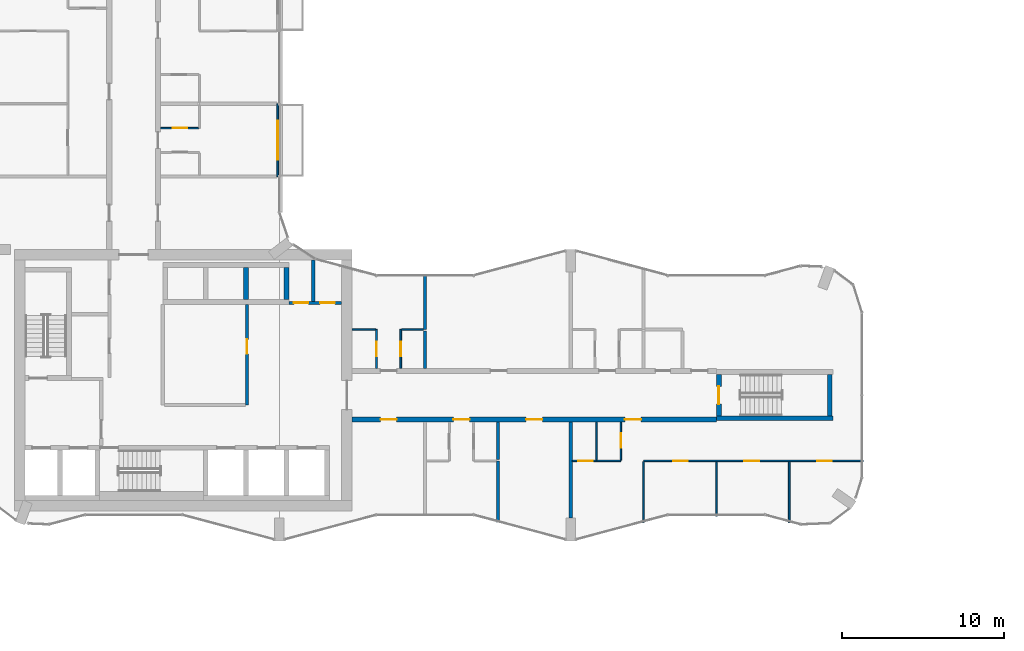
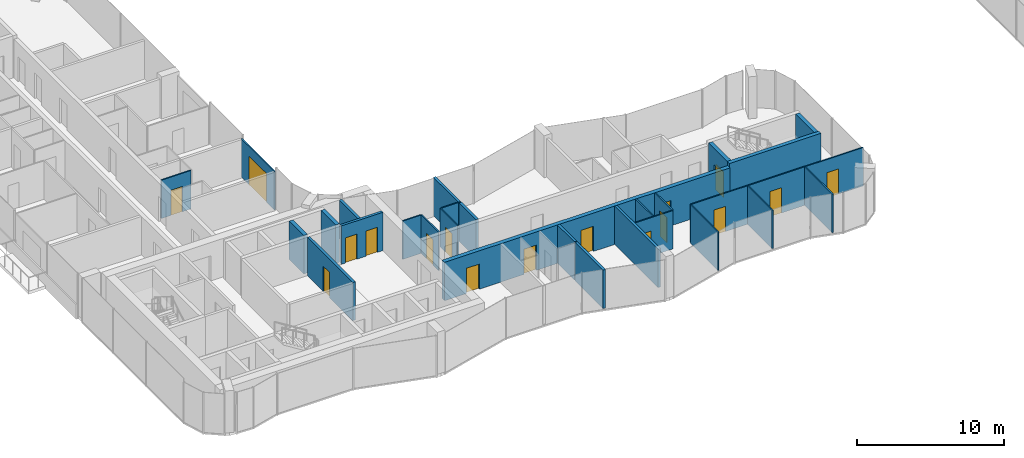
# One storey, part 12 of 19: 27 walls, 17 doors, 17 openings.
"""IFC4 building model written with IfcOpenShell, lengths in metres."""

from ifc_helpers import new_model, si_unit, direction, frame, frame_2d, origin, place, context, subcontext, project, spatial, rectangle, extrude, material, layer, layer_set, type_object, element, fill, save


model = new_model("IFC4")

# Units and contexts
model_context = context("Model", 3, precision=1e-05, world=origin(), true_north=direction((0.0, 1.0)))
body_context = subcontext(model_context, "Body", "Model", "MODEL_VIEW")
ifc_project = project(units=[si_unit("LENGTHUNIT", "METRE"), si_unit("AREAUNIT", "SQUARE_METRE"), si_unit("VOLUMEUNIT", "CUBIC_METRE"), si_unit("PLANEANGLEUNIT", "RADIAN"), si_unit("MASSUNIT", "GRAM", prefix="KILO")], contexts=[model_context])

# Site, building, storey
site_placement = place(None, origin())
site = spatial("IfcSite", under=ifc_project, at=site_placement, CompositionType="ELEMENT")
building_placement = place(site_placement, origin())
building = spatial("IfcBuilding", under=site, at=building_placement, Name="Plateau Cross Towers", CompositionType="ELEMENT")
storey_placement = place(building_placement, frame((0.0, 0.0, 120.300048828125)))
storey = spatial("IfcBuildingStorey", under=building, at=storey_placement, Name="L31", CompositionType="ELEMENT", Elevation=120.300048828125)

# Wall, opening, door
ifc_material_1 = material(Name="Aluminium framed glazing", Category="aluminium")
ifc_layer_1 = layer(ifc_material_1, 0.10009765625)
ifc_layer_set_1 = layer_set([ifc_layer_1], Name="Aluminium framed glazing")
wall_type_1 = type_object("IfcWallType", Name="Balcony screen wall 100", PredefinedType="STANDARD", material=ifc_layer_set_1)
wall_1_placement = place(storey_placement, frame((17.89990234375, 27.0, 0.0), z_axis=(0.0, 0.0, 1.0), x_axis=(0.0, -1.0, 0.0)))
wall_1 = element("IfcWall", 1, at=wall_1_placement, inside=storey, type_object=wall_type_1, Name="Balcony screen wall A-BAL-L31-04", PredefinedType="STANDARD", context=body_context, shape_type="SweptSolid", body=[
    extrude(rectangle(XDim=4.5, YDim=0.10009765625, at=frame_2d((2.25, 0.0))), origin(), (0.0, 0.0, 1.0), 3.199951171875),
])
opening_1_placement = place(wall_1_placement, frame((1.050048828125, 0.0, 0.0)))
opening_1 = element("IfcOpeningElement", 2, at=opening_1_placement, cuts=wall_1, Name="Opening D-B24", PredefinedType="OPENING", context=body_context, shape_type="SweptSolid", body=[
    extrude(rectangle(XDim=2.39990234375, YDim=2.39990234375, at=frame_2d((1.199951171875, 1.199951171875))), frame((0.0, 0.06005859375, 0.0), z_axis=(0.0, -1.0, 0.0), x_axis=(1.0, 0.0, 0.0)), (0.0, 0.0, 1.0), 0.1201171875),
])
ifc_material_2 = material(Name="Aluminium frame, double glazing", Category="aluminium")
door_type_1 = type_object("IfcDoorType", Name="Balcony sliding door 2400", OperationType="NOTDEFINED", PredefinedType="DOOR", material=ifc_material_2)
door_1_placement = place(opening_1_placement, origin())
door_1 = element("IfcDoor", 3, at=door_1_placement, inside=storey, type_object=door_type_1, Name="Balcony door A-BAL-L31-04", OperationType="SINGLE_SWING_LEFT", OverallHeight=2.39990234375, OverallWidth=2.39990234375, PredefinedType="DOOR", context=body_context, shape_type="SweptSolid", body=[
    extrude(rectangle(XDim=2.39990234375, YDim=2.39990234375, at=frame_2d((1.199951171875, 1.199951171875))), frame((0.0, 0.02490234375, 0.0), z_axis=(0.0, -1.0, 0.0), x_axis=(1.0, 0.0, 0.0)), (0.0, 0.0, 1.0), 0.050048828125),
])
fill(opening_1, door_1)

ifc_material_3 = material(Name="Concrete block, plastered both sides", Category="concrete")
ifc_layer_2 = layer(ifc_material_3, 0.199951171875)
ifc_layer_set_2 = layer_set([ifc_layer_2], Name="Concrete block, plastered both sides")
wall_type_2 = type_object("IfcWallType", Name="Core partition 200", PredefinedType="PARTITIONING", material=ifc_layer_set_2)
wall_2_placement = place(storey_placement, frame((16.0, 8.39990234375, 0.0), z_axis=(0.0, 0.0, 1.0), x_axis=(0.0, 1.0, 0.0)))
wall_2 = element("IfcWall", 4, at=wall_2_placement, inside=storey, type_object=wall_type_2, Name="Core partition", PredefinedType="PARTITIONING", context=body_context, shape_type="SweptSolid", body=[
    extrude(rectangle(XDim=6.2001953125, YDim=0.199951171875, at=frame_2d((3.10009765625, 0.0))), origin(), (0.0, 0.0, 1.0), 3.199951171875),
])
opening_2_placement = place(wall_2_placement, frame((3.14990234375, 0.0, 0.0)))
opening_2 = element("IfcOpeningElement", 5, at=opening_2_placement, cuts=wall_2, Name="Opening RD1", PredefinedType="OPENING", context=body_context, shape_type="SweptSolid", body=[
    extrude(rectangle(XDim=0.89990234375, YDim=2.10009765625, at=frame_2d((0.449951171875, 1.050048828125))), frame((0.0, 0.10986328125, 0.0), z_axis=(0.0, -1.0, 0.0), x_axis=(1.0, 0.0, 0.0)), (0.0, 0.0, 1.0), 0.219970703125),
])
ifc_material_4 = material(Name="Timber, fire-resisting leaf", Category="wood")
door_type_2 = type_object("IfcDoorType", Name="Core service door 900", OperationType="NOTDEFINED", PredefinedType="DOOR", material=ifc_material_4)
door_2_placement = place(opening_2_placement, origin())
door_2 = element("IfcDoor", 6, at=door_2_placement, inside=storey, type_object=door_type_2, Name="Core service door RD1", OperationType="SINGLE_SWING_LEFT", OverallHeight=2.10009765625, OverallWidth=0.89990234375, PredefinedType="DOOR", context=body_context, shape_type="SweptSolid", body=[
    extrude(rectangle(XDim=0.89990234375, YDim=2.10009765625, at=frame_2d((0.449951171875, 1.050048828125))), frame((0.0, 0.02490234375, 0.0), z_axis=(0.0, -1.0, 0.0), x_axis=(1.0, 0.0, 0.0)), (0.0, 0.0, 1.0), 0.050048828125),
])
fill(opening_2, door_2)

# Wall, openings, doors
wall_3_placement = place(storey_placement, frame((18.60009765625, 14.699951171875, 0.0), z_axis=(0.0, 0.0, 1.0), x_axis=(1.0, 0.0, 0.0)))
wall_3 = element("IfcWall", 7, at=wall_3_placement, inside=storey, type_object=wall_type_2, Name="Core partition", PredefinedType="PARTITIONING", context=body_context, shape_type="SweptSolid", body=[
    extrude(rectangle(XDim=3.25, YDim=0.199951171875, at=frame_2d((1.625, 0.0))), origin(), (0.0, 0.0, 1.0), 3.199951171875),
])
opening_3_placement = place(wall_3_placement, frame((0.300048828125, 0.0, 0.0)))
opening_3 = element("IfcOpeningElement", 8, at=opening_3_placement, cuts=wall_3, Name="Opening RD2", PredefinedType="OPENING", context=body_context, shape_type="SweptSolid", body=[
    extrude(rectangle(XDim=0.89990234375, YDim=2.10009765625, at=frame_2d((0.449951171875, 1.050048828125))), frame((0.0, 0.10986328125, 0.0), z_axis=(0.0, -1.0, 0.0), x_axis=(1.0, 0.0, 0.0)), (0.0, 0.0, 1.0), 0.219970703125),
])
opening_4_placement = place(wall_3_placement, frame((1.925048828125, 0.0, 0.0)))
opening_4 = element("IfcOpeningElement", 9, at=opening_4_placement, cuts=wall_3, Name="Opening RD2", PredefinedType="OPENING", context=body_context, shape_type="SweptSolid", body=[
    extrude(rectangle(XDim=0.89990234375, YDim=2.10009765625, at=frame_2d((0.449951171875, 1.050048828125))), frame((0.0, 0.10986328125, 0.0), z_axis=(0.0, -1.0, 0.0), x_axis=(1.0, 0.0, 0.0)), (0.0, 0.0, 1.0), 0.219970703125),
])
ifc_material_5 = material(Name="Steel, fire-resisting leaf", Category="steel")
door_type_3 = type_object("IfcDoorType", Name="Core riser door 900", OperationType="NOTDEFINED", PredefinedType="DOOR", material=ifc_material_5)
door_3_placement = place(opening_3_placement, origin())
door_3 = element("IfcDoor", 10, at=door_3_placement, inside=storey, type_object=door_type_3, Name="Core riser door RD2", OperationType="SINGLE_SWING_LEFT", OverallHeight=2.10009765625, OverallWidth=0.89990234375, PredefinedType="DOOR", context=body_context, shape_type="SweptSolid", body=[
    extrude(rectangle(XDim=0.89990234375, YDim=2.10009765625, at=frame_2d((0.449951171875, 1.050048828125))), frame((0.0, 0.02490234375, 0.0), z_axis=(0.0, -1.0, 0.0), x_axis=(1.0, 0.0, 0.0)), (0.0, 0.0, 1.0), 0.050048828125),
])
fill(opening_3, door_3)
door_4_placement = place(opening_4_placement, origin())
door_4 = element("IfcDoor", 11, at=door_4_placement, inside=storey, type_object=door_type_3, Name="Core riser door RD2", OperationType="SINGLE_SWING_LEFT", OverallHeight=2.10009765625, OverallWidth=0.89990234375, PredefinedType="DOOR", context=body_context, shape_type="SweptSolid", body=[
    extrude(rectangle(XDim=0.89990234375, YDim=2.10009765625, at=frame_2d((0.449951171875, 1.050048828125))), frame((0.0, 0.02490234375, 0.0), z_axis=(0.0, -1.0, 0.0), x_axis=(1.0, 0.0, 0.0)), (0.0, 0.0, 1.0), 0.050048828125),
])
fill(opening_4, door_4)

# Walls
wall_4_placement = place(storey_placement, frame((20.10009765625, 14.800048828125, 0.0), z_axis=(0.0, 0.0, 1.0), x_axis=(0.0, 1.0, 0.0)))
element("IfcWall", 12, at=wall_4_placement, inside=storey, type_object=wall_type_2, Name="Core partition", PredefinedType="PARTITIONING", context=body_context, shape_type="SweptSolid", body=[
    extrude(rectangle(XDim=2.550048828125, YDim=0.199951171875, at=frame_2d((1.27490234375, 0.0))), origin(), (0.0, 0.0, 1.0), 3.199951171875),
])
ifc_material_6 = material(Name="Concrete C60/75", Category="concrete")
ifc_layer_3 = layer(ifc_material_6, 0.300048828125)
ifc_layer_set_3 = layer_set([ifc_layer_3], Name="Concrete C60/75")
wall_type_3 = type_object("IfcWallType", Name="Core shaft wall 300", PredefinedType="SHEAR", material=ifc_layer_set_3)
for number, where, z_axis, x_axis, name in (
    (13, (15.949951171875, 14.89990234375, 0.0), (0.0, 0.0, 1.0), (0.0, 1.0, 0.0), "A-nb-v3@L31"),
    (14, (18.449951171875, 14.89990234375, 0.0), (0.0, 0.0, 1.0), (0.0, 1.0, 0.0), "A-nb-v4@L31"),
):
    element("IfcWall", number, at=place(storey_placement, frame(where, z_axis=z_axis, x_axis=x_axis)), inside=storey, type_object=wall_type_3, Name=name, PredefinedType="SHEAR", context=body_context, shape_type="SweptSolid", body=[
        extrude(rectangle(XDim=2.0, YDim=0.300048828125, at=frame_2d((1.0, 0.0))), origin(), (0.0, 0.0, 1.0), 3.199951171875),
    ])

# Wall, openings, doors
ifc_layer_4 = layer(ifc_material_6, 0.324951171875)
ifc_layer_set_4 = layer_set([ifc_layer_4], Name="Concrete C60/75")
wall_type_4 = type_object("IfcWallType", Name="Corridor wall 325", PredefinedType="SHEAR", material=ifc_layer_set_4)
wall_5_placement = place(storey_placement, frame((22.5, 7.5, 0.0), z_axis=(0.0, 0.0, 1.0), x_axis=(1.0, 0.0, 0.0)))
wall_5 = element("IfcWall", 15, at=wall_5_placement, inside=storey, type_object=wall_type_4, Name="A-cw-S1@L31", PredefinedType="SHEAR", context=body_context, shape_type="SweptSolid", body=[
    extrude(rectangle(XDim=22.5, YDim=0.324951171875, at=frame_2d((11.25, 0.0))), origin(), (0.0, 0.0, 1.0), 3.199951171875),
])
opening_5_placement = place(wall_5_placement, frame((1.75, 0.0, 0.0)))
opening_5 = element("IfcOpeningElement", 16, at=opening_5_placement, cuts=wall_5, Name="Opening 31-01", PredefinedType="OPENING", context=body_context, shape_type="SweptSolid", body=[
    extrude(rectangle(XDim=1.0, YDim=2.10009765625, at=frame_2d((0.5, 1.050048828125))), frame((0.0, 0.17236328125, 0.0), z_axis=(0.0, -1.0, 0.0), x_axis=(1.0, 0.0, 0.0)), (0.0, 0.0, 1.0), 0.344970703125),
])
opening_6_placement = place(wall_5_placement, frame((6.25, 0.0, 0.0)))
opening_6 = element("IfcOpeningElement", 17, at=opening_6_placement, cuts=wall_5, Name="Opening 31-02", PredefinedType="OPENING", context=body_context, shape_type="SweptSolid", body=[
    extrude(rectangle(XDim=1.0, YDim=2.10009765625, at=frame_2d((0.5, 1.050048828125))), frame((0.0, 0.17236328125, 0.0), z_axis=(0.0, -1.0, 0.0), x_axis=(1.0, 0.0, 0.0)), (0.0, 0.0, 1.0), 0.344970703125),
])
opening_7_placement = place(wall_5_placement, frame((10.75, 0.0, 0.0)))
opening_7 = element("IfcOpeningElement", 18, at=opening_7_placement, cuts=wall_5, Name="Opening 31-03", PredefinedType="OPENING", context=body_context, shape_type="SweptSolid", body=[
    extrude(rectangle(XDim=1.0, YDim=2.10009765625, at=frame_2d((0.5, 1.050048828125))), frame((0.0, 0.17236328125, 0.0), z_axis=(0.0, -1.0, 0.0), x_axis=(1.0, 0.0, 0.0)), (0.0, 0.0, 1.0), 0.344970703125),
])
opening_8_placement = place(wall_5_placement, frame((16.85009765625, 0.0, 0.0)))
opening_8 = element("IfcOpeningElement", 19, at=opening_8_placement, cuts=wall_5, Name="Opening 31-04", PredefinedType="OPENING", context=body_context, shape_type="SweptSolid", body=[
    extrude(rectangle(XDim=1.0, YDim=2.10009765625, at=frame_2d((0.5, 1.050048828125))), frame((0.0, 0.17236328125, 0.0), z_axis=(0.0, -1.0, 0.0), x_axis=(1.0, 0.0, 0.0)), (0.0, 0.0, 1.0), 0.344970703125),
])
door_type_4 = type_object("IfcDoorType", Name="Flat entrance door 1000", OperationType="NOTDEFINED", PredefinedType="DOOR", material=ifc_material_4)
door_5_placement = place(opening_5_placement, origin())
door_5 = element("IfcDoor", 20, at=door_5_placement, inside=storey, type_object=door_type_4, Name="Door 31-01", OperationType="SINGLE_SWING_LEFT", OverallHeight=2.10009765625, OverallWidth=1.0, PredefinedType="DOOR", context=body_context, shape_type="SweptSolid", body=[
    extrude(rectangle(XDim=1.0, YDim=2.10009765625, at=frame_2d((0.5, 1.050048828125))), frame((0.0, 0.02490234375, 0.0), z_axis=(0.0, -1.0, 0.0), x_axis=(1.0, 0.0, 0.0)), (0.0, 0.0, 1.0), 0.050048828125),
])
fill(opening_5, door_5)
door_6_placement = place(opening_6_placement, origin())
door_6 = element("IfcDoor", 21, at=door_6_placement, inside=storey, type_object=door_type_4, Name="Door 31-02", OperationType="SINGLE_SWING_LEFT", OverallHeight=2.10009765625, OverallWidth=1.0, PredefinedType="DOOR", context=body_context, shape_type="SweptSolid", body=[
    extrude(rectangle(XDim=1.0, YDim=2.10009765625, at=frame_2d((0.5, 1.050048828125))), frame((0.0, 0.02490234375, 0.0), z_axis=(0.0, -1.0, 0.0), x_axis=(1.0, 0.0, 0.0)), (0.0, 0.0, 1.0), 0.050048828125),
])
fill(opening_6, door_6)
door_7_placement = place(opening_7_placement, origin())
door_7 = element("IfcDoor", 22, at=door_7_placement, inside=storey, type_object=door_type_4, Name="Door 31-03", OperationType="SINGLE_SWING_LEFT", OverallHeight=2.10009765625, OverallWidth=1.0, PredefinedType="DOOR", context=body_context, shape_type="SweptSolid", body=[
    extrude(rectangle(XDim=1.0, YDim=2.10009765625, at=frame_2d((0.5, 1.050048828125))), frame((0.0, 0.02490234375, 0.0), z_axis=(0.0, -1.0, 0.0), x_axis=(1.0, 0.0, 0.0)), (0.0, 0.0, 1.0), 0.050048828125),
])
fill(opening_7, door_7)
door_8_placement = place(opening_8_placement, origin())
door_8 = element("IfcDoor", 23, at=door_8_placement, inside=storey, type_object=door_type_4, Name="Door 31-04", OperationType="SINGLE_SWING_RIGHT", OverallHeight=2.10009765625, OverallWidth=1.0, PredefinedType="DOOR", context=body_context, shape_type="SweptSolid", body=[
    extrude(rectangle(XDim=1.0, YDim=2.10009765625, at=frame_2d((0.5, 1.050048828125))), frame((0.0, 0.02490234375, 0.0), z_axis=(0.0, -1.0, 0.0), x_axis=(1.0, 0.0, 0.0)), (0.0, 0.0, 1.0), 0.050048828125),
])
fill(opening_8, door_8)

ifc_material_7 = material(Name="Gypsum board on steel studs", Category="steel")
ifc_layer_5 = layer(ifc_material_7, 0.10009765625)
ifc_layer_set_5 = layer_set([ifc_layer_5], Name="Gypsum board on steel studs")
wall_type_5 = type_object("IfcWallType", Name="Flat partition 100", PredefinedType="PARTITIONING", material=ifc_layer_set_5)
wall_6_placement = place(storey_placement, frame((54.080078125, 4.9375, 0.0), z_axis=(0.0, 0.0, 1.0), x_axis=(-1.0, 0.0, 0.0)))
wall_6 = element("IfcWall", 24, at=wall_6_placement, inside=storey, type_object=wall_type_5, Name="Partition wall", PredefinedType="PARTITIONING", context=body_context, shape_type="SweptSolid", body=[
    extrude(rectangle(XDim=13.580078125, YDim=0.10009765625, at=frame_2d((6.7900390625, 0.0))), origin(), (0.0, 0.0, 1.0), 3.199951171875),
])
opening_9_placement = place(wall_6_placement, frame((10.85009765625, 0.0, 0.0)))
opening_9 = element("IfcOpeningElement", 25, at=opening_9_placement, cuts=wall_6, Name="Opening 31-23", PredefinedType="OPENING", context=body_context, shape_type="SweptSolid", body=[
    extrude(rectangle(XDim=0.89990234375, YDim=2.10009765625, at=frame_2d((0.449951171875, 1.050048828125))), frame((0.0, 0.06005859375, 0.0), z_axis=(0.0, -1.0, 0.0), x_axis=(1.0, 0.0, 0.0)), (0.0, 0.0, 1.0), 0.1201171875),
])
opening_10_placement = place(wall_6_placement, frame((6.449951171875, 0.0, 0.0)))
opening_10 = element("IfcOpeningElement", 26, at=opening_10_placement, cuts=wall_6, Name="Opening 31-24", PredefinedType="OPENING", context=body_context, shape_type="SweptSolid", body=[
    extrude(rectangle(XDim=0.89990234375, YDim=2.10009765625, at=frame_2d((0.449951171875, 1.050048828125))), frame((0.0, 0.06005859375, 0.0), z_axis=(0.0, -1.0, 0.0), x_axis=(1.0, 0.0, 0.0)), (0.0, 0.0, 1.0), 0.1201171875),
])
opening_11_placement = place(wall_6_placement, frame((1.949951171875, 0.0, 0.0)))
opening_11 = element("IfcOpeningElement", 27, at=opening_11_placement, cuts=wall_6, Name="Opening 31-25", PredefinedType="OPENING", context=body_context, shape_type="SweptSolid", body=[
    extrude(rectangle(XDim=0.89990234375, YDim=2.10009765625, at=frame_2d((0.449951171875, 1.050048828125))), frame((0.0, 0.06005859375, 0.0), z_axis=(0.0, -1.0, 0.0), x_axis=(1.0, 0.0, 0.0)), (0.0, 0.0, 1.0), 0.1201171875),
])
ifc_material_8 = material(Name="Timber leaf", Category="wood")
door_type_5 = type_object("IfcDoorType", Name="Flat room door 900", OperationType="NOTDEFINED", PredefinedType="DOOR", material=ifc_material_8)
door_9_placement = place(opening_9_placement, origin())
door_9 = element("IfcDoor", 28, at=door_9_placement, inside=storey, type_object=door_type_5, Name="Door 31-23", OperationType="SINGLE_SWING_RIGHT", OverallHeight=2.10009765625, OverallWidth=0.89990234375, PredefinedType="DOOR", context=body_context, shape_type="SweptSolid", body=[
    extrude(rectangle(XDim=0.89990234375, YDim=2.10009765625, at=frame_2d((0.449951171875, 1.050048828125))), frame((0.0, 0.02490234375, 0.0), z_axis=(0.0, -1.0, 0.0), x_axis=(1.0, 0.0, 0.0)), (0.0, 0.0, 1.0), 0.050048828125),
])
fill(opening_9, door_9)
door_10_placement = place(opening_10_placement, origin())
door_10 = element("IfcDoor", 29, at=door_10_placement, inside=storey, type_object=door_type_5, Name="Door 31-24", OperationType="SINGLE_SWING_RIGHT", OverallHeight=2.10009765625, OverallWidth=0.89990234375, PredefinedType="DOOR", context=body_context, shape_type="SweptSolid", body=[
    extrude(rectangle(XDim=0.89990234375, YDim=2.10009765625, at=frame_2d((0.449951171875, 1.050048828125))), frame((0.0, 0.02490234375, 0.0), z_axis=(0.0, -1.0, 0.0), x_axis=(1.0, 0.0, 0.0)), (0.0, 0.0, 1.0), 0.050048828125),
])
fill(opening_10, door_10)
door_11_placement = place(opening_11_placement, origin())
door_11 = element("IfcDoor", 30, at=door_11_placement, inside=storey, type_object=door_type_5, Name="Door 31-25", OperationType="SINGLE_SWING_LEFT", OverallHeight=2.10009765625, OverallWidth=0.89990234375, PredefinedType="DOOR", context=body_context, shape_type="SweptSolid", body=[
    extrude(rectangle(XDim=0.89990234375, YDim=2.10009765625, at=frame_2d((0.449951171875, 1.050048828125))), frame((0.0, 0.02490234375, 0.0), z_axis=(0.0, -1.0, 0.0), x_axis=(1.0, 0.0, 0.0)), (0.0, 0.0, 1.0), 0.050048828125),
])
fill(opening_11, door_11)

# Wall, opening, door
wall_7_placement = place(storey_placement, frame((36.10009765625, 4.9375, 0.0), z_axis=(0.0, 0.0, 1.0), x_axis=(1.0, 0.0, 0.0)))
wall_7 = element("IfcWall", 31, at=wall_7_placement, inside=storey, type_object=wall_type_5, Name="Partition wall", PredefinedType="PARTITIONING", context=body_context, shape_type="SweptSolid", body=[
    extrude(rectangle(XDim=3.0, YDim=0.10009765625, at=frame_2d((1.5, 0.0))), origin(), (0.0, 0.0, 1.0), 3.199951171875),
])
opening_12_placement = place(wall_7_placement, frame((0.35009765625, 0.0, 0.0)))
opening_12 = element("IfcOpeningElement", 32, at=opening_12_placement, cuts=wall_7, Name="Opening 31-21", PredefinedType="OPENING", context=body_context, shape_type="SweptSolid", body=[
    extrude(rectangle(XDim=0.89990234375, YDim=2.10009765625, at=frame_2d((0.449951171875, 1.050048828125))), frame((0.0, 0.06005859375, 0.0), z_axis=(0.0, -1.0, 0.0), x_axis=(1.0, 0.0, 0.0)), (0.0, 0.0, 1.0), 0.1201171875),
])
door_12_placement = place(opening_12_placement, origin())
door_12 = element("IfcDoor", 33, at=door_12_placement, inside=storey, type_object=door_type_5, Name="Door 31-21", OperationType="SINGLE_SWING_LEFT", OverallHeight=2.10009765625, OverallWidth=0.89990234375, PredefinedType="DOOR", context=body_context, shape_type="SweptSolid", body=[
    extrude(rectangle(XDim=0.89990234375, YDim=2.10009765625, at=frame_2d((0.449951171875, 1.050048828125))), frame((0.0, 0.02490234375, 0.0), z_axis=(0.0, -1.0, 0.0), x_axis=(1.0, 0.0, 0.0)), (0.0, 0.0, 1.0), 0.050048828125),
])
fill(opening_12, door_12)

# Walls
wall_8_placement = place(storey_placement, frame((23.949951171875, 13.0625, 0.0), z_axis=(0.0, 0.0, 1.0), x_axis=(-1.0, 0.0, 0.0)))
element("IfcWall", 34, at=wall_8_placement, inside=storey, type_object=wall_type_5, Name="Partition wall", PredefinedType="PARTITIONING", context=body_context, shape_type="SweptSolid", body=[
    extrude(rectangle(XDim=1.449951171875, YDim=0.10009765625, at=frame_2d((0.72509765625, 0.0))), origin(), (0.0, 0.0, 1.0), 3.199951171875),
])
wall_9_placement = place(storey_placement, frame((26.89990234375, 13.0625, 0.0), z_axis=(0.0, 0.0, 1.0), x_axis=(-1.0, 0.0, 0.0)))
element("IfcWall", 35, at=wall_9_placement, inside=storey, type_object=wall_type_5, Name="Partition wall", PredefinedType="PARTITIONING", context=body_context, shape_type="SweptSolid", body=[
    extrude(rectangle(XDim=1.349853515625, YDim=0.10009765625, at=frame_2d((0.6748046875, 0.0))), origin(), (0.0, 0.0, 1.0), 3.199951171875),
])

# Wall, opening, door
wall_10_placement = place(storey_placement, frame((10.66259765625, 25.5, 0.0), z_axis=(0.0, 0.0, 1.0), x_axis=(1.0, 0.0, 0.0)))
wall_10 = element("IfcWall", 36, at=wall_10_placement, inside=storey, type_object=wall_type_5, Name="Partition wall", PredefinedType="PARTITIONING", context=body_context, shape_type="SweptSolid", body=[
    extrude(rectangle(XDim=2.349853515625, YDim=0.10009765625, at=frame_2d((1.1748046875, 0.0))), origin(), (0.0, 0.0, 1.0), 3.199951171875),
])
opening_13_placement = place(wall_10_placement, frame((0.75, 0.0, 0.0)))
opening_13 = element("IfcOpeningElement", 37, at=opening_13_placement, cuts=wall_10, Name="Opening 31-40", PredefinedType="OPENING", context=body_context, shape_type="SweptSolid", body=[
    extrude(rectangle(XDim=0.89990234375, YDim=2.10009765625, at=frame_2d((0.449951171875, 1.050048828125))), frame((0.0, 0.06005859375, 0.0), z_axis=(0.0, -1.0, 0.0), x_axis=(1.0, 0.0, 0.0)), (0.0, 0.0, 1.0), 0.1201171875),
])
door_13_placement = place(opening_13_placement, origin())
door_13 = element("IfcDoor", 38, at=door_13_placement, inside=storey, type_object=door_type_5, Name="Door 31-40", OperationType="SINGLE_SWING_RIGHT", OverallHeight=2.10009765625, OverallWidth=0.89990234375, PredefinedType="DOOR", context=body_context, shape_type="SweptSolid", body=[
    extrude(rectangle(XDim=0.89990234375, YDim=2.10009765625, at=frame_2d((0.449951171875, 1.050048828125))), frame((0.0, 0.02490234375, 0.0), z_axis=(0.0, -1.0, 0.0), x_axis=(1.0, 0.0, 0.0)), (0.0, 0.0, 1.0), 0.050048828125),
])
fill(opening_13, door_13)

wall_11_placement = place(storey_placement, frame((24.0, 10.66259765625, 0.0), z_axis=(0.0, 0.0, 1.0), x_axis=(0.0, 1.0, 0.0)))
wall_11 = element("IfcWall", 39, at=wall_11_placement, inside=storey, type_object=wall_type_5, Name="Partition wall", PredefinedType="PARTITIONING", context=body_context, shape_type="SweptSolid", body=[
    extrude(rectangle(XDim=2.39990234375, YDim=0.10009765625, at=frame_2d((1.199951171875, 0.0))), origin(), (0.0, 0.0, 1.0), 3.199951171875),
])
opening_14_placement = place(wall_11_placement, frame((0.75, 0.0, 0.0)))
opening_14 = element("IfcOpeningElement", 40, at=opening_14_placement, cuts=wall_11, Name="Opening 31-26", PredefinedType="OPENING", context=body_context, shape_type="SweptSolid", body=[
    extrude(rectangle(XDim=0.89990234375, YDim=2.10009765625, at=frame_2d((0.449951171875, 1.050048828125))), frame((0.0, 0.06005859375, 0.0), z_axis=(0.0, -1.0, 0.0), x_axis=(1.0, 0.0, 0.0)), (0.0, 0.0, 1.0), 0.1201171875),
])
door_14_placement = place(opening_14_placement, origin())
door_14 = element("IfcDoor", 41, at=door_14_placement, inside=storey, type_object=door_type_5, Name="Door 31-26", OperationType="SINGLE_SWING_LEFT", OverallHeight=2.10009765625, OverallWidth=0.89990234375, PredefinedType="DOOR", context=body_context, shape_type="SweptSolid", body=[
    extrude(rectangle(XDim=0.89990234375, YDim=2.10009765625, at=frame_2d((0.449951171875, 1.050048828125))), frame((0.0, 0.02490234375, 0.0), z_axis=(0.0, -1.0, 0.0), x_axis=(1.0, 0.0, 0.0)), (0.0, 0.0, 1.0), 0.050048828125),
])
fill(opening_14, door_14)

wall_12_placement = place(storey_placement, frame((25.5, 13.0625, 0.0), z_axis=(0.0, 0.0, 1.0), x_axis=(0.0, -1.0, 0.0)))
wall_12 = element("IfcWall", 42, at=wall_12_placement, inside=storey, type_object=wall_type_5, Name="Partition wall", PredefinedType="PARTITIONING", context=body_context, shape_type="SweptSolid", body=[
    extrude(rectangle(XDim=2.39990234375, YDim=0.10009765625, at=frame_2d((1.199951171875, 0.0))), origin(), (0.0, 0.0, 1.0), 3.199951171875),
])
opening_15_placement = place(wall_12_placement, frame((0.75, 0.0, 0.0)))
opening_15 = element("IfcOpeningElement", 43, at=opening_15_placement, cuts=wall_12, Name="Opening 31-27", PredefinedType="OPENING", context=body_context, shape_type="SweptSolid", body=[
    extrude(rectangle(XDim=0.89990234375, YDim=2.10009765625, at=frame_2d((0.449951171875, 1.050048828125))), frame((0.0, 0.06005859375, 0.0), z_axis=(0.0, -1.0, 0.0), x_axis=(1.0, 0.0, 0.0)), (0.0, 0.0, 1.0), 0.1201171875),
])
door_15_placement = place(opening_15_placement, origin())
door_15 = element("IfcDoor", 44, at=door_15_placement, inside=storey, type_object=door_type_5, Name="Door 31-27", OperationType="SINGLE_SWING_LEFT", OverallHeight=2.10009765625, OverallWidth=0.89990234375, PredefinedType="DOOR", context=body_context, shape_type="SweptSolid", body=[
    extrude(rectangle(XDim=0.89990234375, YDim=2.10009765625, at=frame_2d((0.449951171875, 1.050048828125))), frame((0.0, 0.02490234375, 0.0), z_axis=(0.0, -1.0, 0.0), x_axis=(1.0, 0.0, 0.0)), (0.0, 0.0, 1.0), 0.050048828125),
])
fill(opening_15, door_15)

# Wall
wall_13_placement = place(storey_placement, frame((37.60009765625, 4.987548828125, 0.0), z_axis=(0.0, 0.0, 1.0), x_axis=(0.0, 1.0, 0.0)))
element("IfcWall", 45, at=wall_13_placement, inside=storey, type_object=wall_type_5, Name="Partition wall", PredefinedType="PARTITIONING", context=body_context, shape_type="SweptSolid", body=[
    extrude(rectangle(XDim=2.349853515625, YDim=0.10009765625, at=frame_2d((1.1748046875, 0.0))), origin(), (0.0, 0.0, 1.0), 3.199951171875),
])

# Wall, opening, door
wall_14_placement = place(storey_placement, frame((39.10009765625, 4.987548828125, 0.0), z_axis=(0.0, 0.0, 1.0), x_axis=(0.0, 1.0, 0.0)))
wall_14 = element("IfcWall", 46, at=wall_14_placement, inside=storey, type_object=wall_type_5, Name="Partition wall", PredefinedType="PARTITIONING", context=body_context, shape_type="SweptSolid", body=[
    extrude(rectangle(XDim=2.349853515625, YDim=0.10009765625, at=frame_2d((1.1748046875, 0.0))), origin(), (0.0, 0.0, 1.0), 3.199951171875),
])
opening_16_placement = place(wall_14_placement, frame((0.75, 0.0, 0.0)))
opening_16 = element("IfcOpeningElement", 47, at=opening_16_placement, cuts=wall_14, Name="Opening 31-22", PredefinedType="OPENING", context=body_context, shape_type="SweptSolid", body=[
    extrude(rectangle(XDim=0.89990234375, YDim=2.10009765625, at=frame_2d((0.449951171875, 1.050048828125))), frame((0.0, 0.06005859375, 0.0), z_axis=(0.0, -1.0, 0.0), x_axis=(1.0, 0.0, 0.0)), (0.0, 0.0, 1.0), 0.1201171875),
])
door_16_placement = place(opening_16_placement, origin())
door_16 = element("IfcDoor", 48, at=door_16_placement, inside=storey, type_object=door_type_5, Name="Door 31-22", OperationType="SINGLE_SWING_RIGHT", OverallHeight=2.10009765625, OverallWidth=0.89990234375, PredefinedType="DOOR", context=body_context, shape_type="SweptSolid", body=[
    extrude(rectangle(XDim=0.89990234375, YDim=2.10009765625, at=frame_2d((0.449951171875, 1.050048828125))), frame((0.0, 0.02490234375, 0.0), z_axis=(0.0, -1.0, 0.0), x_axis=(1.0, 0.0, 0.0)), (0.0, 0.0, 1.0), 0.050048828125),
])
fill(opening_16, door_16)

# Walls
wall_15_placement = place(storey_placement, frame((40.5, 4.887451171875, 0.0), z_axis=(0.0, 0.0, 1.0), x_axis=(0.0, -1.0, 0.0)))
element("IfcWall", 49, at=wall_15_placement, inside=storey, type_object=wall_type_5, Name="Partition wall", PredefinedType="PARTITIONING", context=body_context, shape_type="SweptSolid", body=[
    extrude(rectangle(XDim=3.76513671875, YDim=0.10009765625, at=frame_2d((1.882568359375, 0.0))), origin(), (0.0, 0.0, 1.0), 3.199951171875),
])
wall_16_placement = place(storey_placement, frame((45.0, 1.52685546875, 0.0), z_axis=(0.0, 0.0, 1.0), x_axis=(0.0, 1.0, 0.0)))
element("IfcWall", 50, at=wall_16_placement, inside=storey, type_object=wall_type_5, Name="Partition wall", PredefinedType="PARTITIONING", context=body_context, shape_type="SweptSolid", body=[
    extrude(rectangle(XDim=3.360595703125, YDim=0.10009765625, at=frame_2d((1.68017578125, 0.0))), origin(), (0.0, 0.0, 1.0), 3.199951171875),
])
wall_17_placement = place(storey_placement, frame((49.5, 1.122314453125, 0.0), z_axis=(0.0, 0.0, 1.0), x_axis=(0.0, 1.0, 0.0)))
element("IfcWall", 51, at=wall_17_placement, inside=storey, type_object=wall_type_5, Name="Partition wall", PredefinedType="PARTITIONING", context=body_context, shape_type="SweptSolid", body=[
    extrude(rectangle(XDim=3.76513671875, YDim=0.10009765625, at=frame_2d((1.882568359375, 0.0))), origin(), (0.0, 0.0, 1.0), 3.199951171875),
])
ifc_material_9 = material(Name="Gypsum board on steel studs, two layers each side", Category="steel")
ifc_layer_6 = layer(ifc_material_9, 0.199951171875)
ifc_layer_set_6 = layer_set([ifc_layer_6], Name="Gypsum board on steel studs, two layers each side")
wall_type_6 = type_object("IfcWallType", Name="Flat party wall 200", PredefinedType="PARTITIONING", material=ifc_layer_set_6)
wall_18_placement = place(storey_placement, frame((27.0, 16.47314453125, 0.0), z_axis=(0.0, 0.0, 1.0), x_axis=(0.0, -1.0, 0.0)))
element("IfcWall", 52, at=wall_18_placement, inside=storey, type_object=wall_type_6, Name="Party wall", PredefinedType="PARTITIONING", context=body_context, shape_type="SweptSolid", body=[
    extrude(rectangle(XDim=3.41064453125, YDim=0.199951171875, at=frame_2d((1.705322265625, 0.0))), origin(), (0.0, 0.0, 1.0), 3.199951171875),
])
wall_19_placement = place(storey_placement, frame((27.0, 10.66259765625, 0.0), z_axis=(0.0, 0.0, 1.0), x_axis=(0.0, 1.0, 0.0)))
element("IfcWall", 53, at=wall_19_placement, inside=storey, type_object=wall_type_6, Name="Party wall", PredefinedType="PARTITIONING", context=body_context, shape_type="SweptSolid", body=[
    extrude(rectangle(XDim=2.2998046875, YDim=0.199951171875, at=frame_2d((1.14990234375, 0.0))), origin(), (0.0, 0.0, 1.0), 3.199951171875),
])
wall_20_placement = place(storey_placement, frame((31.5, 4.9375, 0.0), z_axis=(0.0, 0.0, 1.0), x_axis=(0.0, -1.0, 0.0)))
element("IfcWall", 54, at=wall_20_placement, inside=storey, type_object=wall_type_6, Name="Party wall", PredefinedType="PARTITIONING", context=body_context, shape_type="SweptSolid", body=[
    extrude(rectangle(XDim=3.815185546875, YDim=0.199951171875, at=frame_2d((1.90771484375, 0.0))), origin(), (0.0, 0.0, 1.0), 3.199951171875),
])
wall_21_placement = place(storey_placement, frame((31.5, 5.03759765625, 0.0), z_axis=(0.0, 0.0, 1.0), x_axis=(0.0, 1.0, 0.0)))
element("IfcWall", 55, at=wall_21_placement, inside=storey, type_object=wall_type_6, Name="Party wall", PredefinedType="PARTITIONING", context=body_context, shape_type="SweptSolid", body=[
    extrude(rectangle(XDim=2.2998046875, YDim=0.199951171875, at=frame_2d((1.14990234375, 0.0))), origin(), (0.0, 0.0, 1.0), 3.199951171875),
])
wall_22_placement = place(storey_placement, frame((36.0, 1.39990234375, 0.0), z_axis=(0.0, 0.0, 1.0), x_axis=(0.0, 1.0, 0.0)))
element("IfcWall", 56, at=wall_22_placement, inside=storey, type_object=wall_type_6, Name="Party wall", PredefinedType="PARTITIONING", context=body_context, shape_type="SweptSolid", body=[
    extrude(rectangle(XDim=5.9375, YDim=0.199951171875, at=frame_2d((2.96875, 0.0))), origin(), (0.0, 0.0, 1.0), 3.199951171875),
])

# Wall, opening, door
ifc_layer_7 = layer(ifc_material_6, 0.300048828125)
ifc_layer_set_7 = layer_set([ifc_layer_7], Name="Concrete C60/75")
wall_type_7 = type_object("IfcWallType", Name="Stair tower wall 300", PredefinedType="SHEAR", material=ifc_layer_set_7)
wall_23_placement = place(storey_placement, frame((45.14990234375, 7.72509765625, 0.0), z_axis=(0.0, 0.0, 1.0), x_axis=(0.0, 1.0, 0.0)))
wall_23 = element("IfcWall", 57, at=wall_23_placement, inside=storey, type_object=wall_type_7, Name="A-end-E-W@L31", PredefinedType="SHEAR", context=body_context, shape_type="SweptSolid", body=[
    extrude(rectangle(XDim=2.5498046875, YDim=0.300048828125, at=frame_2d((1.27490234375, 0.0))), origin(), (0.0, 0.0, 1.0), 3.5),
])
opening_17_placement = place(wall_23_placement, frame((0.72509765625, 0.0, 0.0)))
opening_17 = element("IfcOpeningElement", 58, at=opening_17_placement, cuts=wall_23, Name="Opening SD", PredefinedType="OPENING", context=body_context, shape_type="SweptSolid", body=[
    extrude(rectangle(XDim=1.10009765625, YDim=2.10009765625, at=frame_2d((0.550048828125, 1.050048828125))), frame((0.0, 0.159912109375, 0.0), z_axis=(0.0, -1.0, 0.0), x_axis=(1.0, 0.0, 0.0)), (0.0, 0.0, 1.0), 0.320068359375),
])
door_type_6 = type_object("IfcDoorType", Name="Stair door 1100", OperationType="NOTDEFINED", PredefinedType="DOOR", material=ifc_material_5)
door_17_placement = place(opening_17_placement, origin())
door_17 = element("IfcDoor", 59, at=door_17_placement, inside=storey, type_object=door_type_6, Name="Stair door SD", OperationType="SINGLE_SWING_LEFT", OverallHeight=2.10009765625, OverallWidth=1.10009765625, PredefinedType="DOOR", context=body_context, shape_type="SweptSolid", body=[
    extrude(rectangle(XDim=1.10009765625, YDim=2.10009765625, at=frame_2d((0.550048828125, 1.050048828125))), frame((0.0, 0.02490234375, 0.0), z_axis=(0.0, -1.0, 0.0), x_axis=(1.0, 0.0, 0.0)), (0.0, 0.0, 1.0), 0.050048828125),
])
fill(opening_17, door_17)

# Walls
wall_24_placement = place(storey_placement, frame((52.0, 7.72509765625, 0.0), z_axis=(0.0, 0.0, 1.0), x_axis=(0.0, 1.0, 0.0)))
element("IfcWall", 60, at=wall_24_placement, inside=storey, type_object=wall_type_7, Name="A-end-E-E@L31", PredefinedType="SHEAR", context=body_context, shape_type="SweptSolid", body=[
    extrude(rectangle(XDim=2.5498046875, YDim=0.300048828125, at=frame_2d((1.27490234375, 0.0))), origin(), (0.0, 0.0, 1.0), 3.5),
])
wall_25_placement = place(storey_placement, frame((45.0, 7.574951171875, 0.0), z_axis=(0.0, 0.0, 1.0), x_axis=(1.0, 0.0, 0.0)))
element("IfcWall", 61, at=wall_25_placement, inside=storey, type_object=wall_type_7, Name="A-end-E-S@L31", PredefinedType="SHEAR", context=body_context, shape_type="SweptSolid", body=[
    extrude(rectangle(XDim=7.199951171875, YDim=0.300048828125, at=frame_2d((3.60009765625, 0.0))), origin(), (0.0, 0.0, 1.0), 3.5),
])

save(model, "model.ifc")
